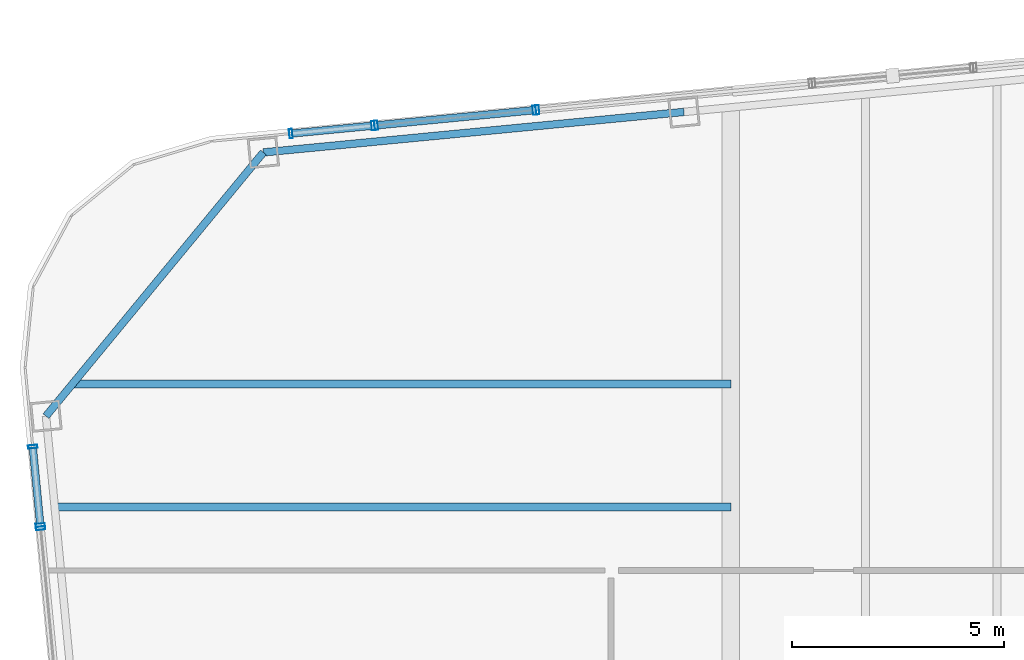
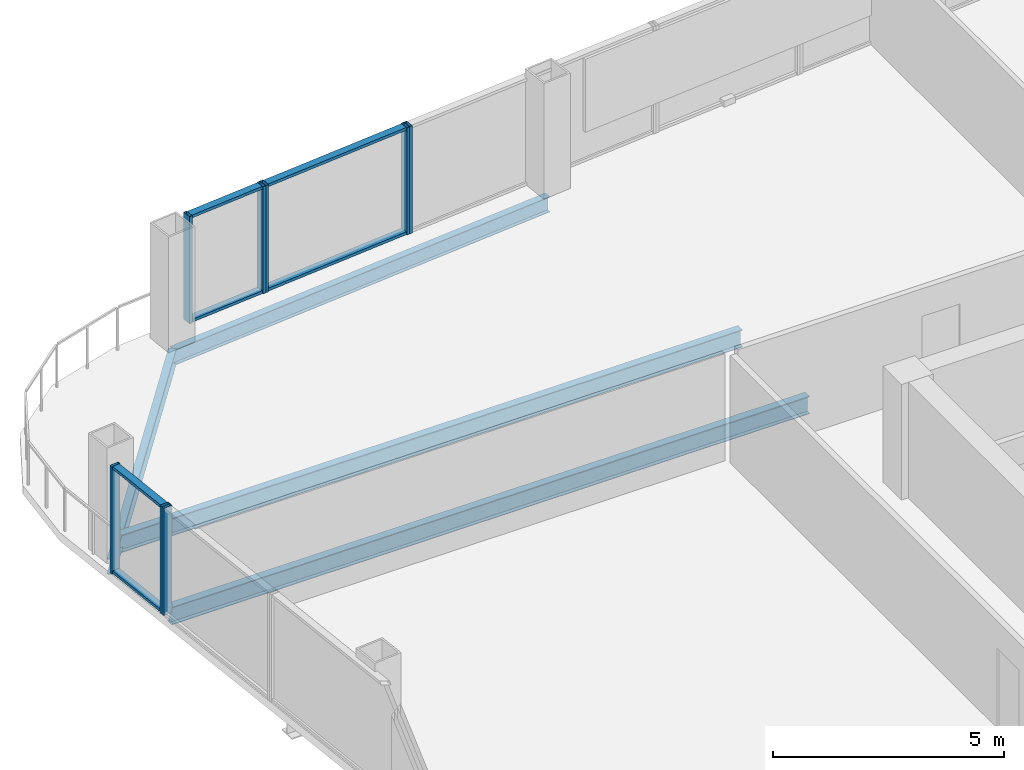
# One storey, part 12 of 21: 14 members, 4 beams, 5 elements without a shape of their own.
"""IFC4 building model written with IfcOpenShell, lengths in metres."""

from ifc_helpers import new_model, si_unit, direction, frame, origin, origin_2d, place, context, subcontext, project, spatial, hollow_rectangle, i_section, extrude, material, layer, layer_set, material_profile, profile_set, type_object, element, aggregate, save


model = new_model("IFC4")

# Units and contexts
model_context = context("Model", 3, precision=1e-05, world=origin(), true_north=direction((0.0, 1.0)))
body_context = subcontext(model_context, "Body", "Model", "MODEL_VIEW")
ifc_project = project(units=[si_unit("LENGTHUNIT", "METRE"), si_unit("AREAUNIT", "SQUARE_METRE"), si_unit("VOLUMEUNIT", "CUBIC_METRE"), si_unit("PLANEANGLEUNIT", "RADIAN"), si_unit("MASSUNIT", "GRAM", prefix="KILO")], contexts=[model_context])

# Site, building, storey
site_placement = place(None, origin())
site = spatial("IfcSite", under=ifc_project, at=site_placement, CompositionType="ELEMENT")
building_placement = place(site_placement, origin())
building = spatial("IfcBuilding", under=site, at=building_placement, Name="Qhalaya Broadcast Tower", CompositionType="ELEMENT")
storey_placement = place(building_placement, frame((0.0, 0.0, 162.25)))
storey = spatial("IfcBuildingStorey", under=building, at=storey_placement, Name="L47", CompositionType="ELEMENT", Elevation=162.25)

# Beams
ifc_material_1 = material(Name="Structural Steel ASTM A992 Grade 50", Category="steel")
ifc_material_profile_1 = material_profile(ifc_material_1, i_section(OverallWidth=0.19189453125, OverallDepth=0.462890625, WebThickness=0.010498046875, FlangeThickness=0.017578125, at=origin_2d()), Name="W18X60")
ifc_profile_set_1 = profile_set([ifc_material_profile_1], Name="Structural Steel ASTM A992 Grade 50")
beam_type_1 = type_object("IfcBeamType", Name="Composite Floor Joist J03", PredefinedType="JOIST", material=ifc_profile_set_1)
beam_1_placement = place(storey_placement, frame((-25.301513671875, 14.300048828125, -0.451416015625), z_axis=(1.0, 0.0, 0.0), x_axis=(0.0, 1.0, 0.0)))
element("IfcBeam", 1, at=beam_1_placement, inside=storey, type_object=beam_type_1, Name="L47 J03 L47-JWE6W-1", PredefinedType="JOIST", context=body_context, shape_type="SweptSolid", body=[
    extrude(i_section(OverallWidth=0.19189453125, OverallDepth=0.462890625, WebThickness=0.010498046875, FlangeThickness=0.017578125, at=origin_2d()), origin(), (0.0, 0.0, 1.0), 15.926513671875),
])
beam_2_placement = place(storey_placement, frame((-24.876953125, 17.199951171875, -0.451416015625), z_axis=(1.0, 0.0, 0.0), x_axis=(0.0, 1.0, 0.0)))
element("IfcBeam", 2, at=beam_2_placement, inside=storey, type_object=beam_type_1, Name="L47 J03 L47-JWE7W-1", PredefinedType="JOIST", context=body_context, shape_type="SweptSolid", body=[
    extrude(i_section(OverallWidth=0.19189453125, OverallDepth=0.462890625, WebThickness=0.010498046875, FlangeThickness=0.017578125, at=origin_2d()), origin(), (0.0, 0.0, 1.0), 15.501953125),
])

# Curtain wall, member
ifc_material_2 = material(Name="Fired Architectural Terracotta", Category="masonry")
ifc_layer_1 = layer(ifc_material_2, 0.219970703125, Name="Fired Architectural Terracotta")
ifc_layer_set_1 = layer_set([ifc_layer_1], Name="Fired Architectural Terracotta")
curtain_wall_type_1 = type_object("IfcCurtainWallType", Name="Block-Cap Unitised Terracotta Spandrel Wall CW-07", PredefinedType="NOTDEFINED", material=ifc_layer_set_1)
curtain_wall_1_placement = place(storey_placement, origin())
curtain_wall_1 = element("IfcCurtainWall", 3, at=curtain_wall_1_placement, inside=storey, type_object=curtain_wall_type_1, Name="L47 Unitised Curtain Wall L47-CW-N5", PredefinedType="NOTDEFINED")
ifc_material_3 = material(Name="Anodised Aluminium 6063-T6", Category="aluminium")
ifc_material_profile_2 = material_profile(ifc_material_3, hollow_rectangle(XDim=0.074951171875, YDim=0.219970703125, WallThickness=0.00390625, at=origin_2d()), Name="ALU-MUL 75x220x4")
ifc_profile_set_2 = profile_set([ifc_material_profile_2], Name="Anodised Aluminium 6063-T6")
member_type_1 = type_object("IfcMemberType", Name="Unitised Curtain-Wall Mullion M01", PredefinedType="MULLION", material=ifc_profile_set_2)
member_1_placement = place(storey_placement, frame((-13.935302734375, 23.666259765625, 0.0), z_axis=(0.0, 0.0, 1.0), x_axis=(-0.995396255089, -0.095845163439, 0.0)))
member_1 = element("IfcMember", 4, at=member_1_placement, type_object=member_type_1, Name="CW-07 mullion 2", PredefinedType="MULLION", context=body_context, shape_type="SweptSolid", body=[
    extrude(hollow_rectangle(XDim=0.074951171875, YDim=0.219970703125, WallThickness=0.00390625, at=origin_2d()), origin(), (0.0, 0.0, 1.0), 2.830078125),
])
aggregate(curtain_wall_1, [member_1])

# Curtain wall, members
ifc_material_4 = material(Name="Solar-Control Low-E Triple Glazing", Category="glass")
ifc_layer_2 = layer(ifc_material_4, 0.219970703125, Name="Solar-Control Low-E Triple Glazing")
ifc_layer_set_2 = layer_set([ifc_layer_2], Name="Solar-Control Low-E Triple Glazing")
curtain_wall_type_2 = type_object("IfcCurtainWallType", Name="Even-Block 4-Storey Double-Module Curtain Wall CW-03", PredefinedType="NOTDEFINED", material=ifc_layer_set_2)
curtain_wall_2_placement = place(storey_placement, origin())
curtain_wall_2 = element("IfcCurtainWall", 5, at=curtain_wall_2_placement, inside=storey, type_object=curtain_wall_type_2, Name="L47 Unitised Curtain Wall L47-CW-N6", PredefinedType="NOTDEFINED")
member_2_placement = place(storey_placement, frame((-14.010009765625, 23.6591796875, 0.0), z_axis=(0.0, 0.0, 1.0), x_axis=(-0.995396841683, -0.095839071198, 0.0)))
member_2 = element("IfcMember", 6, at=member_2_placement, type_object=member_type_1, Name="CW-03 mullion 1", PredefinedType="MULLION", context=body_context, shape_type="SweptSolid", body=[
    extrude(hollow_rectangle(XDim=0.074951171875, YDim=0.219970703125, WallThickness=0.00390625, at=origin_2d()), origin(), (0.0, 0.0, 1.0), 2.830078125),
])
member_3_placement = place(storey_placement, frame((-17.73876953125, 23.300048828125, 0.0), z_axis=(0.0, 0.0, 1.0), x_axis=(-0.995396841683, -0.095839071198, 0.0)))
member_3 = element("IfcMember", 7, at=member_3_placement, type_object=member_type_1, Name="CW-03 mullion 2", PredefinedType="MULLION", context=body_context, shape_type="SweptSolid", body=[
    extrude(hollow_rectangle(XDim=0.074951171875, YDim=0.219970703125, WallThickness=0.00390625, at=origin_2d()), origin(), (0.0, 0.0, 1.0), 2.830078125),
])

curtain_wall_3_placement = place(storey_placement, origin())
curtain_wall_3 = element("IfcCurtainWall", 8, at=curtain_wall_3_placement, inside=storey, type_object=curtain_wall_type_1, Name="L47 Unitised Curtain Wall L47-CW-N7", PredefinedType="NOTDEFINED")
member_4_placement = place(storey_placement, frame((-17.8134765625, 23.29296875, 0.0), z_axis=(0.0, 0.0, 1.0), x_axis=(-0.995396068977, -0.095847096282, 0.0)))
member_4 = element("IfcMember", 9, at=member_4_placement, type_object=member_type_1, Name="CW-07 mullion 1", PredefinedType="MULLION", context=body_context, shape_type="SweptSolid", body=[
    extrude(hollow_rectangle(XDim=0.074951171875, YDim=0.219970703125, WallThickness=0.00390625, at=origin_2d()), origin(), (0.0, 0.0, 1.0), 2.830078125),
])
member_5_placement = place(storey_placement, frame((-19.75244140625, 23.106201171875, 0.0), z_axis=(0.0, 0.0, 1.0), x_axis=(-0.995396068977, -0.095847096282, 0.0)))
member_5 = element("IfcMember", 10, at=member_5_placement, type_object=member_type_1, Name="CW-07 mullion 2", PredefinedType="MULLION", context=body_context, shape_type="SweptSolid", body=[
    extrude(hollow_rectangle(XDim=0.074951171875, YDim=0.219970703125, WallThickness=0.00390625, at=origin_2d()), origin(), (0.0, 0.0, 1.0), 2.830078125),
])

curtain_wall_4_placement = place(storey_placement, origin())
curtain_wall_4 = element("IfcCurtainWall", 11, at=curtain_wall_4_placement, inside=storey, type_object=curtain_wall_type_1, Name="L47 Unitised Curtain Wall L47-CW-W1", PredefinedType="NOTDEFINED")
member_6_placement = place(storey_placement, frame((-25.840087890625, 15.72119140625, 0.0), z_axis=(0.0, 0.0, 1.0), x_axis=(0.095861254071, -0.995394705616, 0.0)))
member_6 = element("IfcMember", 12, at=member_6_placement, type_object=member_type_1, Name="CW-07 mullion 1", PredefinedType="MULLION", context=body_context, shape_type="SweptSolid", body=[
    extrude(hollow_rectangle(XDim=0.074951171875, YDim=0.219970703125, WallThickness=0.00390625, at=origin_2d()), origin(), (0.0, 0.0, 1.0), 2.830078125),
])
member_7_placement = place(storey_placement, frame((-25.662109375, 13.871826171875, 0.0), z_axis=(0.0, 0.0, 1.0), x_axis=(0.095861254071, -0.995394705616, 0.0)))
member_7 = element("IfcMember", 13, at=member_7_placement, type_object=member_type_1, Name="CW-07 mullion 2", PredefinedType="MULLION", context=body_context, shape_type="SweptSolid", body=[
    extrude(hollow_rectangle(XDim=0.074951171875, YDim=0.219970703125, WallThickness=0.00390625, at=origin_2d()), origin(), (0.0, 0.0, 1.0), 2.830078125),
])

# Curtain wall, member
curtain_wall_5_placement = place(storey_placement, origin())
curtain_wall_5 = element("IfcCurtainWall", 14, at=curtain_wall_5_placement, inside=storey, type_object=curtain_wall_type_2, Name="L47 Unitised Curtain Wall L47-CW-W2", PredefinedType="NOTDEFINED")
member_8_placement = place(storey_placement, frame((-25.65478515625, 13.797119140625, 0.0), z_axis=(0.0, 0.0, 1.0), x_axis=(0.095850516284, -0.995395739657, 0.0)))
member_8 = element("IfcMember", 15, at=member_8_placement, type_object=member_type_1, Name="CW-03 mullion 1", PredefinedType="MULLION", context=body_context, shape_type="SweptSolid", body=[
    extrude(hollow_rectangle(XDim=0.074951171875, YDim=0.219970703125, WallThickness=0.00390625, at=origin_2d()), origin(), (0.0, 0.0, 1.0), 2.830078125),
])
aggregate(curtain_wall_5, [member_8])

# Member
ifc_material_profile_3 = material_profile(ifc_material_3, hollow_rectangle(XDim=0.074951171875, YDim=0.179931640625, WallThickness=0.00390625, at=origin_2d()), Name="ALU-TRN 75x180x4")
ifc_profile_set_3 = profile_set([ifc_material_profile_3], Name="Anodised Aluminium 6063-T6")
member_type_2 = type_object("IfcMemberType", Name="Unitised Curtain-Wall Transom T01", PredefinedType="USERDEFINED", material=ifc_profile_set_3)
member_9_placement = place(storey_placement, frame((-14.04736328125, 23.655517578125, 0.03759765625), z_axis=(-0.99539720199, -0.095835328928, 0.0), x_axis=(0.0, 0.0, 1.0)))
member_9 = element("IfcMember", 16, at=member_9_placement, type_object=member_type_2, Name="CW-03 transom 1.1", ObjectType="TRANSOM", PredefinedType="USERDEFINED", context=body_context, shape_type="SweptSolid", body=[
    extrude(hollow_rectangle(XDim=0.074951171875, YDim=0.179931640625, WallThickness=0.00390625, at=origin_2d()), origin(), (0.0, 0.0, 1.0), 3.6708984375),
])

member_10_placement = place(storey_placement, frame((-14.04736328125, 23.655517578125, 2.79248046875), z_axis=(-0.99539720199, -0.095835328928, 0.0), x_axis=(0.0, 0.0, 1.0)))
member_10 = element("IfcMember", 17, at=member_10_placement, type_object=member_type_2, Name="CW-03 transom 1.2", ObjectType="TRANSOM", PredefinedType="USERDEFINED", context=body_context, shape_type="SweptSolid", body=[
    extrude(hollow_rectangle(XDim=0.074951171875, YDim=0.179931640625, WallThickness=0.00390625, at=origin_2d()), origin(), (0.0, 0.0, 1.0), 3.6708984375),
])

aggregate(curtain_wall_2, [member_2, member_3, member_9, member_10])

member_11_placement = place(storey_placement, frame((-17.850830078125, 23.289306640625, 0.03759765625), z_axis=(-0.995399470742, -0.095811761524, 0.0), x_axis=(0.0, 0.0, 1.0)))
member_11 = element("IfcMember", 18, at=member_11_placement, type_object=member_type_2, Name="CW-07 transom 1.1", ObjectType="TRANSOM", PredefinedType="USERDEFINED", context=body_context, shape_type="SweptSolid", body=[
    extrude(hollow_rectangle(XDim=0.074951171875, YDim=0.179931640625, WallThickness=0.00390625, at=origin_2d()), origin(), (0.0, 0.0, 1.0), 1.872802734375),
])

member_12_placement = place(storey_placement, frame((-17.850830078125, 23.289306640625, 2.79248046875), z_axis=(-0.995399470742, -0.095811761524, 0.0), x_axis=(0.0, 0.0, 1.0)))
member_12 = element("IfcMember", 19, at=member_12_placement, type_object=member_type_2, Name="CW-07 transom 1.2", ObjectType="TRANSOM", PredefinedType="USERDEFINED", context=body_context, shape_type="SweptSolid", body=[
    extrude(hollow_rectangle(XDim=0.074951171875, YDim=0.179931640625, WallThickness=0.00390625, at=origin_2d()), origin(), (0.0, 0.0, 1.0), 1.872802734375),
])

aggregate(curtain_wall_3, [member_4, member_5, member_11, member_12])

member_13_placement = place(storey_placement, frame((-25.836669921875, 15.683837890625, 0.03759765625), z_axis=(0.095842852043, -0.995396477647, 0.0), x_axis=(0.0, 0.0, 1.0)))
member_13 = element("IfcMember", 20, at=member_13_placement, type_object=member_type_2, Name="CW-07 transom 1.1", ObjectType="TRANSOM", PredefinedType="USERDEFINED", context=body_context, shape_type="SweptSolid", body=[
    extrude(hollow_rectangle(XDim=0.074951171875, YDim=0.179931640625, WallThickness=0.00390625, at=origin_2d()), origin(), (0.0, 0.0, 1.0), 1.783203125),
])

member_14_placement = place(storey_placement, frame((-25.836669921875, 15.683837890625, 2.79248046875), z_axis=(0.095842852043, -0.995396477647, 0.0), x_axis=(0.0, 0.0, 1.0)))
member_14 = element("IfcMember", 21, at=member_14_placement, type_object=member_type_2, Name="CW-07 transom 1.2", ObjectType="TRANSOM", PredefinedType="USERDEFINED", context=body_context, shape_type="SweptSolid", body=[
    extrude(hollow_rectangle(XDim=0.074951171875, YDim=0.179931640625, WallThickness=0.00390625, at=origin_2d()), origin(), (0.0, 0.0, 1.0), 1.783203125),
])

aggregate(curtain_wall_4, [member_6, member_7, member_13, member_14])

# Beams
ifc_material_profile_4 = material_profile(ifc_material_1, i_section(OverallWidth=0.177978515625, OverallDepth=0.406005859375, WebThickness=0.0078125, FlangeThickness=0.0126953125, at=origin_2d()), Name="W16X40")
ifc_profile_set_4 = profile_set([ifc_material_profile_4], Name="Structural Steel ASTM A992 Grade 50")
beam_type_2 = type_object("IfcBeamType", Name="Upper Perimeter Spandrel Beam SP2", PredefinedType="SPANDREL", material=ifc_profile_set_4)
beam_3_placement = place(storey_placement, frame((-10.4794921875, 23.6171875, -0.423095703125), z_axis=(-0.995398071879, -0.095826293365, 0.0), x_axis=(0.095826293365, -0.995398071879, 0.0)))
element("IfcBeam", 22, at=beam_3_placement, inside=storey, type_object=beam_type_2, Name="L47 SP2 L47-SPR-11", PredefinedType="SPANDREL", context=body_context, shape_type="SweptSolid", body=[
    extrude(i_section(OverallWidth=0.177978515625, OverallDepth=0.406005859375, WebThickness=0.0078125, FlangeThickness=0.0126953125, at=origin_2d()), origin(), (0.0, 0.0, 1.0), 9.966796875),
])
beam_4_placement = place(storey_placement, frame((-20.400390625, 22.662109375, -0.423095703125), z_axis=(-0.636070241972, -0.771631160126, 0.0), x_axis=(0.771631160126, -0.636070241972, 0.0)))
element("IfcBeam", 23, at=beam_4_placement, inside=storey, type_object=beam_type_2, Name="L47 SP2 L47-SPR-12", PredefinedType="SPANDREL", context=body_context, shape_type="SweptSolid", body=[
    extrude(i_section(OverallWidth=0.177978515625, OverallDepth=0.406005859375, WebThickness=0.0078125, FlangeThickness=0.0126953125, at=origin_2d()), origin(), (0.0, 0.0, 1.0), 8.06103515625),
])

save(model, "model.ifc")
